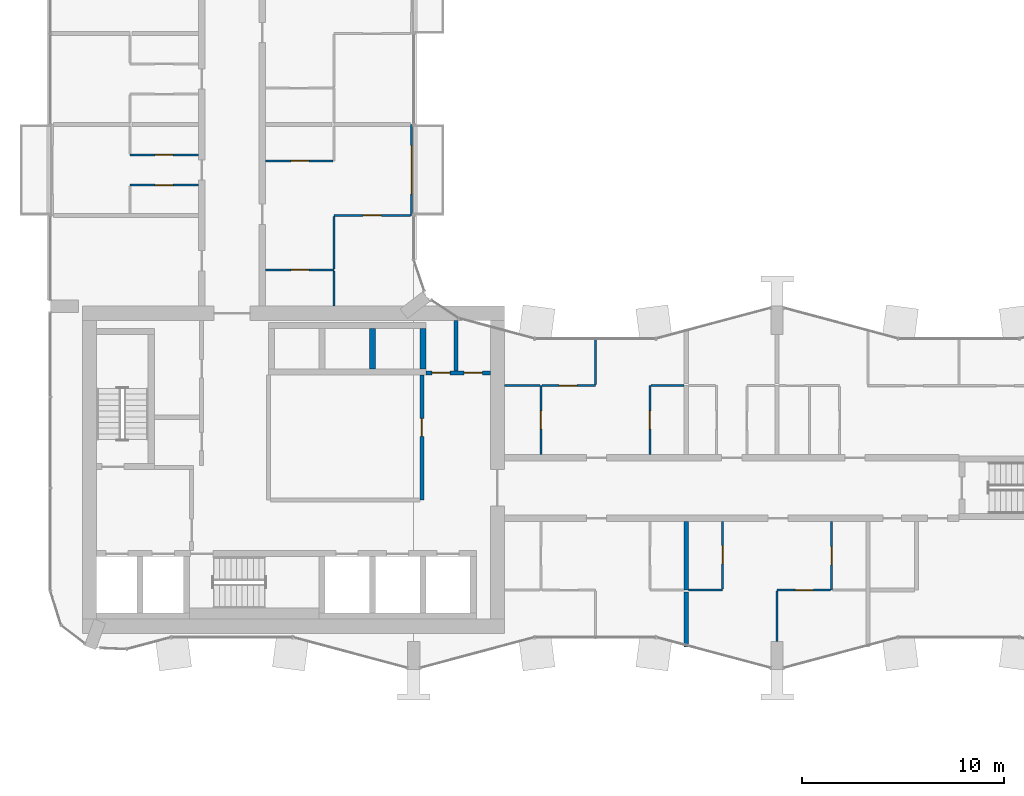
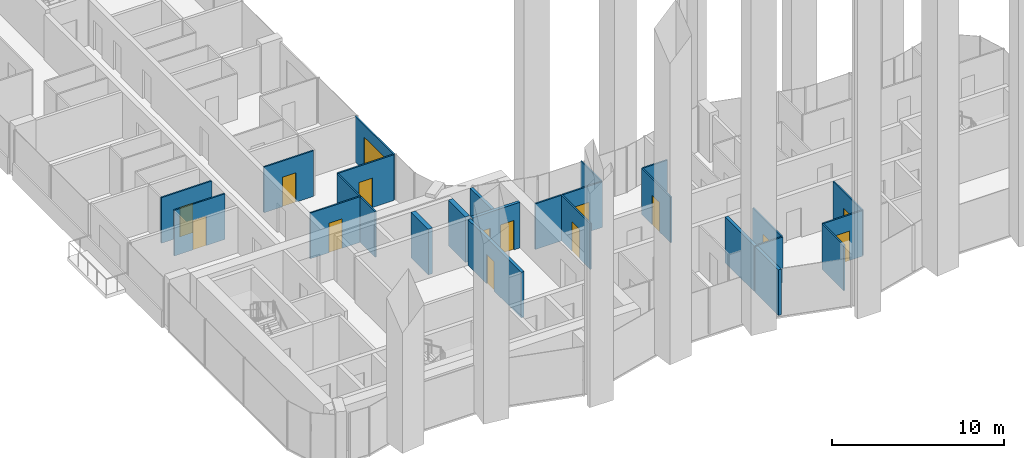
# One storey, part 14 of 27: 26 walls, 15 doors, 15 openings.
"""IFC4 building model written with IfcOpenShell, lengths in metres."""

import ifcopenshell
import ifcopenshell.guid

model = None  # the IFC model being written
_history = None  # IfcOwnerHistory: only IFC2X3 demands one
_inside = {}  # id of a spatial element -> (the spatial element, [elements in it])
_under = {}  # id of a project, library or spatial element -> (it, [spatial elements below it])
_declared = {}  # id of a project -> (the project, [libraries it declares])
_typed = {}  # id of a type object -> (the type object, [elements of that type])
_made_of = {}  # id of a material, layer set ... -> (it, [elements and type objects made of it])


def new_model(schema):
    """Start an empty IFC model of exactly this schema.

    Asked for "IFC4X3", IfcOpenShell would pick the latest addendum, in which some entities
    have other attributes; the version numbers below select the first issue.
    IFC2X3 requires an IfcOwnerHistory on every rooted entity: one is made here for all.
    """
    global model, _history
    if schema == "IFC4X3":
        model = ifcopenshell.file(schema_version=(4, 3, 0, 0))
    else:
        model = ifcopenshell.file(schema=schema)
    _inside.clear()
    _under.clear()
    _declared.clear()
    _typed.clear()
    _made_of.clear()
    _history = None
    if model.schema == "IFC2X3":
        org = make("IfcOrganization", Name="unknown")
        user = make(
            "IfcPersonAndOrganization",
            ThePerson=make("IfcPerson", FamilyName="unknown"),
            TheOrganization=org,
        )
        app = make(
            "IfcApplication",
            ApplicationDeveloper=org,
            Version="unknown",
            ApplicationFullName="unknown",
            ApplicationIdentifier="unknown",
        )
        _history = make(
            "IfcOwnerHistory",
            OwningUser=user,
            OwningApplication=app,
            ChangeAction="ADDED",
            CreationDate=0,
        )
    return model


def make(cls, **values):
    """One entity of the class cls with the attributes given. An attribute that is None is left unset."""
    return model.create_entity(
        cls, **{name: value for name, value in values.items() if value is not None}
    )


def rooted(cls, **values):
    """An entity with a GlobalId (a new one), such as an element, a storey or a relation."""
    return make(cls, GlobalId=ifcopenshell.guid.new(), OwnerHistory=_history, **values)


def si_unit(unit_type, name, prefix=None):
    """IfcSIUnit, for example si_unit("LENGTHUNIT", "METRE", prefix="MILLI")."""
    return make("IfcSIUnit", UnitType=unit_type, Prefix=prefix, Name=name)


def assignment(units):
    """IfcUnitAssignment: the units of a project."""
    return None if units is None else make("IfcUnitAssignment", Units=units)


def point(xyz):
    """IfcCartesianPoint."""
    return None if xyz is None else make("IfcCartesianPoint", Coordinates=xyz)


def direction(xyz):
    """IfcDirection."""
    return None if xyz is None else make("IfcDirection", DirectionRatios=xyz)


def frame(location, z_axis=None, x_axis=None):
    """IfcAxis2Placement3D, a coordinate frame: its origin and axes. An axis left out is left unset."""
    return make(
        "IfcAxis2Placement3D",
        Location=point(location),
        Axis=direction(z_axis),
        RefDirection=direction(x_axis),
    )


def frame_2d(location, x_axis=None):
    """IfcAxis2Placement2D, a coordinate frame in the plane: its origin and x axis."""
    return make(
        "IfcAxis2Placement2D", Location=point(location), RefDirection=direction(x_axis)
    )


def origin():
    """The frame at (0, 0, 0) with its axes left unset."""
    return frame((0.0, 0.0, 0.0))


def place(relative_to, where):
    """IfcLocalPlacement: puts the frame where relative to a parent placement (None: the world)."""
    return make(
        "IfcLocalPlacement", PlacementRelTo=relative_to, RelativePlacement=where
    )


def context(
    kind, dimensions, precision=None, world=None, true_north=None, identifier=None
):
    """IfcGeometricRepresentationContext, for example the 3D "Model" context."""
    return make(
        "IfcGeometricRepresentationContext",
        ContextIdentifier=identifier,
        ContextType=kind,
        CoordinateSpaceDimension=dimensions,
        Precision=precision,
        WorldCoordinateSystem=world,
        TrueNorth=true_north,
    )


def subcontext(parent, identifier, kind, view, scale=None):
    """IfcGeometricRepresentationSubContext, for example "Body" below "Model"."""
    return make(
        "IfcGeometricRepresentationSubContext",
        ContextIdentifier=identifier,
        ContextType=kind,
        ParentContext=parent,
        TargetScale=scale,
        TargetView=view,
    )


def project(units=None, contexts=None):
    """IfcProject with its units and contexts."""
    return rooted(
        "IfcProject",
        Name="project",
        RepresentationContexts=contexts,
        UnitsInContext=assignment(units),
    )


def spatial(cls, under=None, at=None, **own):
    """A site, building, storey or space (cls), placed at a placement, below another one or the project."""
    s = rooted(cls, ObjectPlacement=at, **own)
    if under is not None:
        _under.setdefault(under.id(), (under, []))[1].append(s)
    return s


def profile(cls, at=None, kind="AREA", **sizes):
    """A parametric profile (cls). Its sizes go by their IFC names, for example OverallWidth=200.0."""
    return make(cls, ProfileType=kind, Position=at, **sizes)


def rectangle(**sizes):
    """IfcRectangleProfileDef."""
    return profile("IfcRectangleProfileDef", **sizes)


def extrude(swept, where, along, depth):
    """IfcExtrudedAreaSolid: the profile swept, set in the frame where, extruded along a direction by depth."""
    return make(
        "IfcExtrudedAreaSolid",
        SweptArea=swept,
        Position=where,
        ExtrudedDirection=direction(along),
        Depth=depth,
    )


def shape(context_of_items, identifier, shape_type, items):
    """IfcShapeRepresentation: the items that make up one representation, for example the "Body"."""
    return make(
        "IfcShapeRepresentation",
        ContextOfItems=context_of_items,
        RepresentationIdentifier=identifier,
        RepresentationType=shape_type,
        Items=items,
    )


def material(Name=None, Category=None):
    """IfcMaterial."""
    return make("IfcMaterial", Name=Name, Category=Category)


def layer(
    of_material, thickness, ventilated=None, Name=None, Category=None, Priority=None
):
    """IfcMaterialLayer: one layer of a wall or slab, of a material (None: an air gap)."""
    return make(
        "IfcMaterialLayer",
        Material=of_material,
        LayerThickness=thickness,
        IsVentilated=ventilated,
        Name=Name,
        Category=Category,
        Priority=Priority,
    )


def layer_set(layers, Name=None):
    """IfcMaterialLayerSet."""
    return make("IfcMaterialLayerSet", MaterialLayers=layers, LayerSetName=Name)


def made_of(thing, what):
    """Note that an element or type object is made of a material, layer set ...; save() writes the relation."""
    if what is not None:
        _made_of.setdefault(what.id(), (what, []))[1].append(thing)
    return thing


def type_object(cls, material=None, **own):
    """A type object (cls), such as IfcWallType, which elements share."""
    return made_of(rooted(cls, **own), material)


def element(
    cls,
    number,
    at=None,
    inside=None,
    cuts=None,
    type_object=None,
    material=None,
    context=None,
    identifier="Body",
    shape_type=None,
    held_by="IfcProductDefinitionShape",
    body=None,
    shapes=None,
    **own,
):
    """One element of the class cls, such as IfcWall. Its Tag is "e" and its number.

    at: its placement. inside: the storey or other place that contains it. cuts: it is an
    opening in that element (IfcRelVoidsElement). A single representation is given by context,
    identifier, shape_type and body (its items); several are given by shapes. held_by: the class
    of the entity that holds the representations. save() writes the other relations.
    """
    e = rooted(cls, Tag="e%d" % number, ObjectPlacement=at, **own)
    if body is not None:
        shapes = [shape(context, identifier, shape_type, body)]
    if shapes is not None:
        e.Representation = make(held_by, Representations=shapes)
    if inside is not None:
        _inside.setdefault(inside.id(), (inside, []))[1].append(e)
    if cuts is not None:
        rooted(
            "IfcRelVoidsElement", RelatingBuildingElement=cuts, RelatedOpeningElement=e
        )
    if type_object is not None:
        _typed.setdefault(type_object.id(), (type_object, []))[1].append(e)
    return made_of(e, material)


def fill(opening, filler):
    """IfcRelFillsElement: the door or window that sits in an opening."""
    return rooted(
        "IfcRelFillsElement",
        RelatingOpeningElement=opening,
        RelatedBuildingElement=filler,
    )


def aggregate(whole, parts):
    """IfcRelAggregates: a whole, such as a stair, and the parts it consists of."""
    return rooted("IfcRelAggregates", RelatingObject=whole, RelatedObjects=parts)


def save(model, path):
    """Write the relations noted so far, then the file.

    IfcRelAggregates (storeys below a building ...), IfcRelContainedInSpatialStructure (elements
    in a storey), IfcRelDefinesByType, IfcRelAssociatesMaterial and IfcRelDeclares: one each for
    every whole, place, type object, material and project.
    """
    for whole, parts in _under.values():
        aggregate(whole, parts)
    for where, things in _inside.values():
        rooted(
            "IfcRelContainedInSpatialStructure",
            RelatedElements=things,
            RelatingStructure=where,
        )
    for kind, things in _typed.values():
        rooted("IfcRelDefinesByType", RelatedObjects=things, RelatingType=kind)
    for what, things in _made_of.values():
        rooted("IfcRelAssociatesMaterial", RelatedObjects=things, RelatingMaterial=what)
    for by, libraries in _declared.values():
        rooted("IfcRelDeclares", RelatingContext=by, RelatedDefinitions=libraries)
    model.write(path)


model = new_model("IFC4")

# Units and contexts
model_context = context("Model", 3, precision=1e-05, world=origin(), true_north=direction((0.0, 1.0)))
body_context = subcontext(model_context, "Body", "Model", "MODEL_VIEW")
ifc_project = project(units=[si_unit("LENGTHUNIT", "METRE"), si_unit("AREAUNIT", "SQUARE_METRE"), si_unit("VOLUMEUNIT", "CUBIC_METRE"), si_unit("PLANEANGLEUNIT", "RADIAN"), si_unit("MASSUNIT", "GRAM", prefix="KILO")], contexts=[model_context])

# Site, building, storey
site_placement = place(None, origin())
site = spatial("IfcSite", under=ifc_project, at=site_placement, CompositionType="ELEMENT")
building_placement = place(site_placement, origin())
building = spatial("IfcBuilding", under=site, at=building_placement, Name="Plateau Cross Towers", CompositionType="ELEMENT")
storey_placement = place(building_placement, frame((0.0, 0.0, 78.300048828125)))
storey = spatial("IfcBuildingStorey", under=building, at=storey_placement, Name="L19", CompositionType="ELEMENT", Elevation=78.300048828125)

# Wall, opening, door
ifc_material_1 = material(Name="Aluminium framed glazing", Category="aluminium")
ifc_layer_1 = layer(ifc_material_1, 0.10009765625)
ifc_layer_set_1 = layer_set([ifc_layer_1], Name="Aluminium framed glazing")
wall_type_1 = type_object("IfcWallType", Name="Balcony screen wall 100", PredefinedType="STANDARD", material=ifc_layer_set_1)
wall_1_placement = place(storey_placement, frame((17.89990234375, 27.0, 0.0), z_axis=(0.0, 0.0, 1.0), x_axis=(0.0, -1.0, 0.0)))
wall_1 = element("IfcWall", 1, at=wall_1_placement, inside=storey, type_object=wall_type_1, Name="Balcony screen wall A-BAL-L19-03", PredefinedType="STANDARD", context=body_context, shape_type="SweptSolid", body=[
    extrude(rectangle(XDim=4.5, YDim=0.10009765625, at=frame_2d((2.25, 0.0))), origin(), (0.0, 0.0, 1.0), 3.25),
])
opening_1_placement = place(wall_1_placement, frame((1.050048828125, 0.0, 0.0)))
opening_1 = element("IfcOpeningElement", 2, at=opening_1_placement, cuts=wall_1, Name="Opening D-B24", PredefinedType="OPENING", context=body_context, shape_type="SweptSolid", body=[
    extrude(rectangle(XDim=2.39990234375, YDim=2.39990234375, at=frame_2d((1.199951171875, 1.199951171875))), frame((0.0, 0.06005859375, 0.0), z_axis=(0.0, -1.0, 0.0), x_axis=(1.0, 0.0, 0.0)), (0.0, 0.0, 1.0), 0.1201171875),
])
ifc_material_2 = material(Name="Aluminium frame, double glazing", Category="aluminium")
door_type_1 = type_object("IfcDoorType", Name="Balcony sliding door 2400", OperationType="NOTDEFINED", PredefinedType="DOOR", material=ifc_material_2)
door_1_placement = place(opening_1_placement, origin())
door_1 = element("IfcDoor", 3, at=door_1_placement, inside=storey, type_object=door_type_1, Name="Balcony door A-BAL-L19-03", OperationType="SINGLE_SWING_LEFT", OverallHeight=2.39990234375, OverallWidth=2.39990234375, PredefinedType="DOOR", context=body_context, shape_type="SweptSolid", body=[
    extrude(rectangle(XDim=2.39990234375, YDim=2.39990234375, at=frame_2d((1.199951171875, 1.199951171875))), frame((0.0, 0.02490234375, 0.0), z_axis=(0.0, -1.0, 0.0), x_axis=(1.0, 0.0, 0.0)), (0.0, 0.0, 1.0), 0.050048828125),
])
fill(opening_1, door_1)

ifc_material_3 = material(Name="Concrete block, plastered both sides", Category="concrete")
ifc_layer_2 = layer(ifc_material_3, 0.199951171875)
ifc_layer_set_2 = layer_set([ifc_layer_2], Name="Concrete block, plastered both sides")
wall_type_2 = type_object("IfcWallType", Name="Core partition 200", PredefinedType="PARTITIONING", material=ifc_layer_set_2)
wall_2_placement = place(storey_placement, frame((18.39990234375, 8.39990234375, 0.0), z_axis=(0.0, 0.0, 1.0), x_axis=(0.0, 1.0, 0.0)))
wall_2 = element("IfcWall", 4, at=wall_2_placement, inside=storey, type_object=wall_type_2, Name="Core partition", PredefinedType="PARTITIONING", context=body_context, shape_type="SweptSolid", body=[
    extrude(rectangle(XDim=6.2001953125, YDim=0.199951171875, at=frame_2d((3.10009765625, 0.0))), origin(), (0.0, 0.0, 1.0), 3.25),
])
opening_2_placement = place(wall_2_placement, frame((3.14990234375, 0.0, 0.0)))
opening_2 = element("IfcOpeningElement", 5, at=opening_2_placement, cuts=wall_2, Name="Opening RD1", PredefinedType="OPENING", context=body_context, shape_type="SweptSolid", body=[
    extrude(rectangle(XDim=0.89990234375, YDim=2.10009765625, at=frame_2d((0.449951171875, 1.050048828125))), frame((0.0, 0.10986328125, 0.0), z_axis=(0.0, -1.0, 0.0), x_axis=(1.0, 0.0, 0.0)), (0.0, 0.0, 1.0), 0.219970703125),
])
ifc_material_4 = material(Name="Timber, fire-resisting leaf", Category="wood")
door_type_2 = type_object("IfcDoorType", Name="Core service door 900", OperationType="NOTDEFINED", PredefinedType="DOOR", material=ifc_material_4)
door_2_placement = place(opening_2_placement, origin())
door_2 = element("IfcDoor", 6, at=door_2_placement, inside=storey, type_object=door_type_2, Name="Core service door RD1", OperationType="SINGLE_SWING_LEFT", OverallHeight=2.10009765625, OverallWidth=0.89990234375, PredefinedType="DOOR", context=body_context, shape_type="SweptSolid", body=[
    extrude(rectangle(XDim=0.89990234375, YDim=2.10009765625, at=frame_2d((0.449951171875, 1.050048828125))), frame((0.0, 0.02490234375, 0.0), z_axis=(0.0, -1.0, 0.0), x_axis=(1.0, 0.0, 0.0)), (0.0, 0.0, 1.0), 0.050048828125),
])
fill(opening_2, door_2)

# Wall, openings, doors
wall_3_placement = place(storey_placement, frame((18.60009765625, 14.699951171875, 0.0), z_axis=(0.0, 0.0, 1.0), x_axis=(1.0, 0.0, 0.0)))
wall_3 = element("IfcWall", 7, at=wall_3_placement, inside=storey, type_object=wall_type_2, Name="Core partition", PredefinedType="PARTITIONING", context=body_context, shape_type="SweptSolid", body=[
    extrude(rectangle(XDim=3.199951171875, YDim=0.199951171875, at=frame_2d((1.60009765625, 0.0))), origin(), (0.0, 0.0, 1.0), 3.25),
])
opening_3_placement = place(wall_3_placement, frame((0.300048828125, 0.0, 0.0)))
opening_3 = element("IfcOpeningElement", 8, at=opening_3_placement, cuts=wall_3, Name="Opening RD2", PredefinedType="OPENING", context=body_context, shape_type="SweptSolid", body=[
    extrude(rectangle(XDim=0.89990234375, YDim=2.10009765625, at=frame_2d((0.449951171875, 1.050048828125))), frame((0.0, 0.10986328125, 0.0), z_axis=(0.0, -1.0, 0.0), x_axis=(1.0, 0.0, 0.0)), (0.0, 0.0, 1.0), 0.219970703125),
])
opening_4_placement = place(wall_3_placement, frame((1.89990234375, 0.0, 0.0)))
opening_4 = element("IfcOpeningElement", 9, at=opening_4_placement, cuts=wall_3, Name="Opening RD2", PredefinedType="OPENING", context=body_context, shape_type="SweptSolid", body=[
    extrude(rectangle(XDim=0.89990234375, YDim=2.10009765625, at=frame_2d((0.449951171875, 1.050048828125))), frame((0.0, 0.10986328125, 0.0), z_axis=(0.0, -1.0, 0.0), x_axis=(1.0, 0.0, 0.0)), (0.0, 0.0, 1.0), 0.219970703125),
])
ifc_material_5 = material(Name="Steel, fire-resisting leaf", Category="steel")
door_type_3 = type_object("IfcDoorType", Name="Core riser door 900", OperationType="NOTDEFINED", PredefinedType="DOOR", material=ifc_material_5)
door_3_placement = place(opening_3_placement, origin())
door_3 = element("IfcDoor", 10, at=door_3_placement, inside=storey, type_object=door_type_3, Name="Core riser door RD2", OperationType="SINGLE_SWING_LEFT", OverallHeight=2.10009765625, OverallWidth=0.89990234375, PredefinedType="DOOR", context=body_context, shape_type="SweptSolid", body=[
    extrude(rectangle(XDim=0.89990234375, YDim=2.10009765625, at=frame_2d((0.449951171875, 1.050048828125))), frame((0.0, 0.02490234375, 0.0), z_axis=(0.0, -1.0, 0.0), x_axis=(1.0, 0.0, 0.0)), (0.0, 0.0, 1.0), 0.050048828125),
])
fill(opening_3, door_3)
door_4_placement = place(opening_4_placement, origin())
door_4 = element("IfcDoor", 11, at=door_4_placement, inside=storey, type_object=door_type_3, Name="Core riser door RD2", OperationType="SINGLE_SWING_LEFT", OverallHeight=2.10009765625, OverallWidth=0.89990234375, PredefinedType="DOOR", context=body_context, shape_type="SweptSolid", body=[
    extrude(rectangle(XDim=0.89990234375, YDim=2.10009765625, at=frame_2d((0.449951171875, 1.050048828125))), frame((0.0, 0.02490234375, 0.0), z_axis=(0.0, -1.0, 0.0), x_axis=(1.0, 0.0, 0.0)), (0.0, 0.0, 1.0), 0.050048828125),
])
fill(opening_4, door_4)

# Walls
wall_4_placement = place(storey_placement, frame((20.10009765625, 14.800048828125, 0.0), z_axis=(0.0, 0.0, 1.0), x_axis=(0.0, 1.0, 0.0)))
element("IfcWall", 12, at=wall_4_placement, inside=storey, type_object=wall_type_2, Name="Core partition", PredefinedType="PARTITIONING", context=body_context, shape_type="SweptSolid", body=[
    extrude(rectangle(XDim=2.5, YDim=0.199951171875, at=frame_2d((1.25, 0.0))), origin(), (0.0, 0.0, 1.0), 3.25),
])
ifc_material_6 = material(Name="Concrete C60/75", Category="concrete")
ifc_layer_3 = layer(ifc_material_6, 0.300048828125)
ifc_layer_set_3 = layer_set([ifc_layer_3], Name="Concrete C60/75")
wall_type_3 = type_object("IfcWallType", Name="Core shaft wall 300", PredefinedType="SHEAR", material=ifc_layer_set_3)
for number, where, z_axis, x_axis, name in (
    (13, (15.949951171875, 14.89990234375, 0.0), (0.0, 0.0, 1.0), (0.0, 1.0, 0.0), "A-nb-v3@L19"),
    (14, (18.449951171875, 14.89990234375, 0.0), (0.0, 0.0, 1.0), (0.0, 1.0, 0.0), "A-nb-v4@L19"),
):
    element("IfcWall", number, at=place(storey_placement, frame(where, z_axis=z_axis, x_axis=x_axis)), inside=storey, type_object=wall_type_3, Name=name, PredefinedType="SHEAR", context=body_context, shape_type="SweptSolid", body=[
        extrude(rectangle(XDim=2.0, YDim=0.300048828125, at=frame_2d((1.0, 0.0))), origin(), (0.0, 0.0, 1.0), 3.25),
    ])

# Wall, opening, door
ifc_material_7 = material(Name="Gypsum board on steel studs", Category="steel")
ifc_layer_4 = layer(ifc_material_7, 0.10009765625)
ifc_layer_set_4 = layer_set([ifc_layer_4], Name="Gypsum board on steel studs")
wall_type_4 = type_object("IfcWallType", Name="Flat partition 100", PredefinedType="PARTITIONING", material=ifc_layer_set_4)
wall_5_placement = place(storey_placement, frame((38.64990234375, 3.9375, 0.0), z_axis=(0.0, 0.0, 1.0), x_axis=(-1.0, 0.0, 0.0)))
wall_5 = element("IfcWall", 15, at=wall_5_placement, inside=storey, type_object=wall_type_4, Name="Partition wall", PredefinedType="PARTITIONING", context=body_context, shape_type="SweptSolid", body=[
    extrude(rectangle(XDim=2.64990234375, YDim=0.10009765625, at=frame_2d((1.324951171875, 0.0))), origin(), (0.0, 0.0, 1.0), 3.25),
])
opening_5_placement = place(wall_5_placement, frame((0.85009765625, 0.0, 0.0)))
opening_5 = element("IfcOpeningElement", 16, at=opening_5_placement, cuts=wall_5, Name="Opening 19-23", PredefinedType="OPENING", context=body_context, shape_type="SweptSolid", body=[
    extrude(rectangle(XDim=0.89990234375, YDim=2.10009765625, at=frame_2d((0.449951171875, 1.050048828125))), frame((0.0, 0.06005859375, 0.0), z_axis=(0.0, -1.0, 0.0), x_axis=(1.0, 0.0, 0.0)), (0.0, 0.0, 1.0), 0.1201171875),
])
ifc_material_8 = material(Name="Timber leaf", Category="wood")
door_type_4 = type_object("IfcDoorType", Name="Flat room door 900", OperationType="NOTDEFINED", PredefinedType="DOOR", material=ifc_material_8)
door_5_placement = place(opening_5_placement, origin())
door_5 = element("IfcDoor", 17, at=door_5_placement, inside=storey, type_object=door_type_4, Name="Door 19-23", OperationType="SINGLE_SWING_LEFT", OverallHeight=2.10009765625, OverallWidth=0.89990234375, PredefinedType="DOOR", context=body_context, shape_type="SweptSolid", body=[
    extrude(rectangle(XDim=0.89990234375, YDim=2.10009765625, at=frame_2d((0.449951171875, 1.050048828125))), frame((0.0, 0.02490234375, 0.0), z_axis=(0.0, -1.0, 0.0), x_axis=(1.0, 0.0, 0.0)), (0.0, 0.0, 1.0), 0.050048828125),
])
fill(opening_5, door_5)

# Walls
wall_6_placement = place(storey_placement, frame((31.60009765625, 3.9375, 0.0), z_axis=(0.0, 0.0, 1.0), x_axis=(1.0, 0.0, 0.0)))
element("IfcWall", 18, at=wall_6_placement, inside=storey, type_object=wall_type_4, Name="Partition wall", PredefinedType="PARTITIONING", context=body_context, shape_type="SweptSolid", body=[
    extrude(rectangle(XDim=1.699951171875, YDim=0.10009765625, at=frame_2d((0.85009765625, 0.0))), origin(), (0.0, 0.0, 1.0), 3.25),
])
wall_7_placement = place(storey_placement, frame((24.25, 14.0625, 0.0), z_axis=(0.0, 0.0, 1.0), x_axis=(-1.0, 0.0, 0.0)))
element("IfcWall", 19, at=wall_7_placement, inside=storey, type_object=wall_type_4, Name="Partition wall", PredefinedType="PARTITIONING", context=body_context, shape_type="SweptSolid", body=[
    extrude(rectangle(XDim=1.75, YDim=0.10009765625, at=frame_2d((0.875, 0.0))), origin(), (0.0, 0.0, 1.0), 3.25),
])
wall_8_placement = place(storey_placement, frame((31.39990234375, 14.0625, 0.0), z_axis=(0.0, 0.0, 1.0), x_axis=(-1.0, 0.0, 0.0)))
element("IfcWall", 20, at=wall_8_placement, inside=storey, type_object=wall_type_4, Name="Partition wall", PredefinedType="PARTITIONING", context=body_context, shape_type="SweptSolid", body=[
    extrude(rectangle(XDim=1.64990234375, YDim=0.10009765625, at=frame_2d((0.824951171875, 0.0))), origin(), (0.0, 0.0, 1.0), 3.25),
])

# Wall, opening, door
wall_9_placement = place(storey_placement, frame((24.35009765625, 14.0625, 0.0), z_axis=(0.0, 0.0, 1.0), x_axis=(1.0, 0.0, 0.0)))
wall_9 = element("IfcWall", 21, at=wall_9_placement, inside=storey, type_object=wall_type_4, Name="Partition wall", PredefinedType="PARTITIONING", context=body_context, shape_type="SweptSolid", body=[
    extrude(rectangle(XDim=2.64990234375, YDim=0.10009765625, at=frame_2d((1.324951171875, 0.0))), origin(), (0.0, 0.0, 1.0), 3.25),
])
opening_6_placement = place(wall_9_placement, frame((0.85009765625, 0.0, 0.0)))
opening_6 = element("IfcOpeningElement", 22, at=opening_6_placement, cuts=wall_9, Name="Opening 19-26", PredefinedType="OPENING", context=body_context, shape_type="SweptSolid", body=[
    extrude(rectangle(XDim=0.89990234375, YDim=2.10009765625, at=frame_2d((0.449951171875, 1.050048828125))), frame((0.0, 0.06005859375, 0.0), z_axis=(0.0, -1.0, 0.0), x_axis=(1.0, 0.0, 0.0)), (0.0, 0.0, 1.0), 0.1201171875),
])
door_6_placement = place(opening_6_placement, origin())
door_6 = element("IfcDoor", 23, at=door_6_placement, inside=storey, type_object=door_type_4, Name="Door 19-26", OperationType="SINGLE_SWING_LEFT", OverallHeight=2.10009765625, OverallWidth=0.89990234375, PredefinedType="DOOR", context=body_context, shape_type="SweptSolid", body=[
    extrude(rectangle(XDim=0.89990234375, YDim=2.10009765625, at=frame_2d((0.449951171875, 1.050048828125))), frame((0.0, 0.02490234375, 0.0), z_axis=(0.0, -1.0, 0.0), x_axis=(1.0, 0.0, 0.0)), (0.0, 0.0, 1.0), 0.050048828125),
])
fill(opening_6, door_6)

wall_10_placement = place(storey_placement, frame((14.0625, 19.800048828125, 0.0), z_axis=(0.0, 0.0, 1.0), x_axis=(-1.0, 0.0, 0.0)))
wall_10 = element("IfcWall", 24, at=wall_10_placement, inside=storey, type_object=wall_type_4, Name="Partition wall", PredefinedType="PARTITIONING", context=body_context, shape_type="SweptSolid", body=[
    extrude(rectangle(XDim=3.39990234375, YDim=0.10009765625, at=frame_2d((1.699951171875, 0.0))), origin(), (0.0, 0.0, 1.0), 3.25),
])
opening_7_placement = place(wall_10_placement, frame((1.25, 0.0, 0.0)))
opening_7 = element("IfcOpeningElement", 25, at=opening_7_placement, cuts=wall_10, Name="Opening 19-43", PredefinedType="OPENING", context=body_context, shape_type="SweptSolid", body=[
    extrude(rectangle(XDim=0.89990234375, YDim=2.10009765625, at=frame_2d((0.449951171875, 1.050048828125))), frame((0.0, 0.06005859375, 0.0), z_axis=(0.0, -1.0, 0.0), x_axis=(1.0, 0.0, 0.0)), (0.0, 0.0, 1.0), 0.1201171875),
])
door_7_placement = place(opening_7_placement, origin())
door_7 = element("IfcDoor", 26, at=door_7_placement, inside=storey, type_object=door_type_4, Name="Door 19-43", OperationType="SINGLE_SWING_LEFT", OverallHeight=2.10009765625, OverallWidth=0.89990234375, PredefinedType="DOOR", context=body_context, shape_type="SweptSolid", body=[
    extrude(rectangle(XDim=0.89990234375, YDim=2.10009765625, at=frame_2d((0.449951171875, 1.050048828125))), frame((0.0, 0.02490234375, 0.0), z_axis=(0.0, -1.0, 0.0), x_axis=(1.0, 0.0, 0.0)), (0.0, 0.0, 1.0), 0.050048828125),
])
fill(opening_7, door_7)

wall_11_placement = place(storey_placement, frame((17.85009765625, 22.5, 0.0), z_axis=(0.0, 0.0, 1.0), x_axis=(-1.0, 0.0, 0.0)))
wall_11 = element("IfcWall", 27, at=wall_11_placement, inside=storey, type_object=wall_type_4, Name="Partition wall", PredefinedType="PARTITIONING", context=body_context, shape_type="SweptSolid", body=[
    extrude(rectangle(XDim=3.78759765625, YDim=0.10009765625, at=frame_2d((1.893798828125, 0.0))), origin(), (0.0, 0.0, 1.0), 3.25),
])
opening_8_placement = place(wall_11_placement, frame((1.449951171875, 0.0, 0.0)))
opening_8 = element("IfcOpeningElement", 28, at=opening_8_placement, cuts=wall_11, Name="Opening 19-45", PredefinedType="OPENING", context=body_context, shape_type="SweptSolid", body=[
    extrude(rectangle(XDim=0.89990234375, YDim=2.10009765625, at=frame_2d((0.449951171875, 1.050048828125))), frame((0.0, 0.06005859375, 0.0), z_axis=(0.0, -1.0, 0.0), x_axis=(1.0, 0.0, 0.0)), (0.0, 0.0, 1.0), 0.1201171875),
])
door_8_placement = place(opening_8_placement, origin())
door_8 = element("IfcDoor", 29, at=door_8_placement, inside=storey, type_object=door_type_4, Name="Door 19-45", OperationType="SINGLE_SWING_RIGHT", OverallHeight=2.10009765625, OverallWidth=0.89990234375, PredefinedType="DOOR", context=body_context, shape_type="SweptSolid", body=[
    extrude(rectangle(XDim=0.89990234375, YDim=2.10009765625, at=frame_2d((0.449951171875, 1.050048828125))), frame((0.0, 0.02490234375, 0.0), z_axis=(0.0, -1.0, 0.0), x_axis=(1.0, 0.0, 0.0)), (0.0, 0.0, 1.0), 0.050048828125),
])
fill(opening_8, door_8)

wall_12_placement = place(storey_placement, frame((7.33740234375, 24.0, 0.0), z_axis=(0.0, 0.0, 1.0), x_axis=(-1.0, 0.0, 0.0)))
wall_12 = element("IfcWall", 30, at=wall_12_placement, inside=storey, type_object=wall_type_4, Name="Partition wall", PredefinedType="PARTITIONING", context=body_context, shape_type="SweptSolid", body=[
    extrude(rectangle(XDim=3.39990234375, YDim=0.10009765625, at=frame_2d((1.699951171875, 0.0))), origin(), (0.0, 0.0, 1.0), 3.25),
])
opening_9_placement = place(wall_12_placement, frame((1.25, 0.0, 0.0)))
opening_9 = element("IfcOpeningElement", 31, at=opening_9_placement, cuts=wall_12, Name="Opening 19-34", PredefinedType="OPENING", context=body_context, shape_type="SweptSolid", body=[
    extrude(rectangle(XDim=0.89990234375, YDim=2.10009765625, at=frame_2d((0.449951171875, 1.050048828125))), frame((0.0, 0.06005859375, 0.0), z_axis=(0.0, -1.0, 0.0), x_axis=(1.0, 0.0, 0.0)), (0.0, 0.0, 1.0), 0.1201171875),
])
door_9_placement = place(opening_9_placement, origin())
door_9 = element("IfcDoor", 32, at=door_9_placement, inside=storey, type_object=door_type_4, Name="Door 19-34", OperationType="SINGLE_SWING_LEFT", OverallHeight=2.10009765625, OverallWidth=0.89990234375, PredefinedType="DOOR", context=body_context, shape_type="SweptSolid", body=[
    extrude(rectangle(XDim=0.89990234375, YDim=2.10009765625, at=frame_2d((0.449951171875, 1.050048828125))), frame((0.0, 0.02490234375, 0.0), z_axis=(0.0, -1.0, 0.0), x_axis=(1.0, 0.0, 0.0)), (0.0, 0.0, 1.0), 0.050048828125),
])
fill(opening_9, door_9)

wall_13_placement = place(storey_placement, frame((10.66259765625, 25.199951171875, 0.0), z_axis=(0.0, 0.0, 1.0), x_axis=(1.0, 0.0, 0.0)))
wall_13 = element("IfcWall", 33, at=wall_13_placement, inside=storey, type_object=wall_type_4, Name="Partition wall", PredefinedType="PARTITIONING", context=body_context, shape_type="SweptSolid", body=[
    extrude(rectangle(XDim=3.349853515625, YDim=0.10009765625, at=frame_2d((1.6748046875, 0.0))), origin(), (0.0, 0.0, 1.0), 3.25),
])
opening_10_placement = place(wall_13_placement, frame((1.25, 0.0, 0.0)))
opening_10 = element("IfcOpeningElement", 34, at=opening_10_placement, cuts=wall_13, Name="Opening 19-44", PredefinedType="OPENING", context=body_context, shape_type="SweptSolid", body=[
    extrude(rectangle(XDim=0.89990234375, YDim=2.10009765625, at=frame_2d((0.449951171875, 1.050048828125))), frame((0.0, 0.06005859375, 0.0), z_axis=(0.0, -1.0, 0.0), x_axis=(1.0, 0.0, 0.0)), (0.0, 0.0, 1.0), 0.1201171875),
])
door_10_placement = place(opening_10_placement, origin())
door_10 = element("IfcDoor", 35, at=door_10_placement, inside=storey, type_object=door_type_4, Name="Door 19-44", OperationType="SINGLE_SWING_RIGHT", OverallHeight=2.10009765625, OverallWidth=0.89990234375, PredefinedType="DOOR", context=body_context, shape_type="SweptSolid", body=[
    extrude(rectangle(XDim=0.89990234375, YDim=2.10009765625, at=frame_2d((0.449951171875, 1.050048828125))), frame((0.0, 0.02490234375, 0.0), z_axis=(0.0, -1.0, 0.0), x_axis=(1.0, 0.0, 0.0)), (0.0, 0.0, 1.0), 0.050048828125),
])
fill(opening_10, door_10)

wall_14_placement = place(storey_placement, frame((3.9375, 25.5, 0.0), z_axis=(0.0, 0.0, 1.0), x_axis=(1.0, 0.0, 0.0)))
wall_14 = element("IfcWall", 36, at=wall_14_placement, inside=storey, type_object=wall_type_4, Name="Partition wall", PredefinedType="PARTITIONING", context=body_context, shape_type="SweptSolid", body=[
    extrude(rectangle(XDim=3.39990234375, YDim=0.10009765625, at=frame_2d((1.699951171875, 0.0))), origin(), (0.0, 0.0, 1.0), 3.25),
])
opening_11_placement = place(wall_14_placement, frame((1.25, 0.0, 0.0)))
opening_11 = element("IfcOpeningElement", 37, at=opening_11_placement, cuts=wall_14, Name="Opening 19-35", PredefinedType="OPENING", context=body_context, shape_type="SweptSolid", body=[
    extrude(rectangle(XDim=0.89990234375, YDim=2.10009765625, at=frame_2d((0.449951171875, 1.050048828125))), frame((0.0, 0.06005859375, 0.0), z_axis=(0.0, -1.0, 0.0), x_axis=(1.0, 0.0, 0.0)), (0.0, 0.0, 1.0), 0.1201171875),
])
door_11_placement = place(opening_11_placement, origin())
door_11 = element("IfcDoor", 38, at=door_11_placement, inside=storey, type_object=door_type_4, Name="Door 19-35", OperationType="SINGLE_SWING_LEFT", OverallHeight=2.10009765625, OverallWidth=0.89990234375, PredefinedType="DOOR", context=body_context, shape_type="SweptSolid", body=[
    extrude(rectangle(XDim=0.89990234375, YDim=2.10009765625, at=frame_2d((0.449951171875, 1.050048828125))), frame((0.0, 0.02490234375, 0.0), z_axis=(0.0, -1.0, 0.0), x_axis=(1.0, 0.0, 0.0)), (0.0, 0.0, 1.0), 0.050048828125),
])
fill(opening_11, door_11)

# Walls
wall_15_placement = place(storey_placement, frame((14.0625, 22.449951171875, 0.0), z_axis=(0.0, 0.0, 1.0), x_axis=(0.0, -1.0, 0.0)))
element("IfcWall", 39, at=wall_15_placement, inside=storey, type_object=wall_type_4, Name="Partition wall", PredefinedType="PARTITIONING", context=body_context, shape_type="SweptSolid", body=[
    extrude(rectangle(XDim=2.599853515625, YDim=0.10009765625, at=frame_2d((1.2998046875, 0.0))), origin(), (0.0, 0.0, 1.0), 3.25),
])
wall_16_placement = place(storey_placement, frame((14.0625, 18.0, 0.0), z_axis=(0.0, 0.0, 1.0), x_axis=(0.0, 1.0, 0.0)))
element("IfcWall", 40, at=wall_16_placement, inside=storey, type_object=wall_type_4, Name="Partition wall", PredefinedType="PARTITIONING", context=body_context, shape_type="SweptSolid", body=[
    extrude(rectangle(XDim=1.75, YDim=0.10009765625, at=frame_2d((0.875, 0.0))), origin(), (0.0, 0.0, 1.0), 3.25),
])

# Wall, opening, door
wall_17_placement = place(storey_placement, frame((24.300048828125, 10.66259765625, 0.0), z_axis=(0.0, 0.0, 1.0), x_axis=(0.0, 1.0, 0.0)))
wall_17 = element("IfcWall", 41, at=wall_17_placement, inside=storey, type_object=wall_type_4, Name="Partition wall", PredefinedType="PARTITIONING", context=body_context, shape_type="SweptSolid", body=[
    extrude(rectangle(XDim=3.39990234375, YDim=0.10009765625, at=frame_2d((1.699951171875, 0.0))), origin(), (0.0, 0.0, 1.0), 3.25),
])
opening_12_placement = place(wall_17_placement, frame((1.25, 0.0, 0.0)))
opening_12 = element("IfcOpeningElement", 42, at=opening_12_placement, cuts=wall_17, Name="Opening 19-24", PredefinedType="OPENING", context=body_context, shape_type="SweptSolid", body=[
    extrude(rectangle(XDim=0.89990234375, YDim=2.10009765625, at=frame_2d((0.449951171875, 1.050048828125))), frame((0.0, 0.06005859375, 0.0), z_axis=(0.0, -1.0, 0.0), x_axis=(1.0, 0.0, 0.0)), (0.0, 0.0, 1.0), 0.1201171875),
])
door_12_placement = place(opening_12_placement, origin())
door_12 = element("IfcDoor", 43, at=door_12_placement, inside=storey, type_object=door_type_4, Name="Door 19-24", OperationType="SINGLE_SWING_LEFT", OverallHeight=2.10009765625, OverallWidth=0.89990234375, PredefinedType="DOOR", context=body_context, shape_type="SweptSolid", body=[
    extrude(rectangle(XDim=0.89990234375, YDim=2.10009765625, at=frame_2d((0.449951171875, 1.050048828125))), frame((0.0, 0.02490234375, 0.0), z_axis=(0.0, -1.0, 0.0), x_axis=(1.0, 0.0, 0.0)), (0.0, 0.0, 1.0), 0.050048828125),
])
fill(opening_12, door_12)

# Wall
wall_18_placement = place(storey_placement, frame((27.0, 14.112548828125, 0.0), z_axis=(0.0, 0.0, 1.0), x_axis=(0.0, 1.0, 0.0)))
element("IfcWall", 44, at=wall_18_placement, inside=storey, type_object=wall_type_4, Name="Partition wall", PredefinedType="PARTITIONING", context=body_context, shape_type="SweptSolid", body=[
    extrude(rectangle(XDim=2.360595703125, YDim=0.10009765625, at=frame_2d((1.18017578125, 0.0))), origin(), (0.0, 0.0, 1.0), 3.25),
])

# Wall, opening, door
wall_19_placement = place(storey_placement, frame((29.699951171875, 14.0625, 0.0), z_axis=(0.0, 0.0, 1.0), x_axis=(0.0, -1.0, 0.0)))
wall_19 = element("IfcWall", 45, at=wall_19_placement, inside=storey, type_object=wall_type_4, Name="Partition wall", PredefinedType="PARTITIONING", context=body_context, shape_type="SweptSolid", body=[
    extrude(rectangle(XDim=3.39990234375, YDim=0.10009765625, at=frame_2d((1.699951171875, 0.0))), origin(), (0.0, 0.0, 1.0), 3.25),
])
opening_13_placement = place(wall_19_placement, frame((1.25, 0.0, 0.0)))
opening_13 = element("IfcOpeningElement", 46, at=opening_13_placement, cuts=wall_19, Name="Opening 19-25", PredefinedType="OPENING", context=body_context, shape_type="SweptSolid", body=[
    extrude(rectangle(XDim=0.89990234375, YDim=2.10009765625, at=frame_2d((0.449951171875, 1.050048828125))), frame((0.0, 0.06005859375, 0.0), z_axis=(0.0, -1.0, 0.0), x_axis=(1.0, 0.0, 0.0)), (0.0, 0.0, 1.0), 0.1201171875),
])
door_13_placement = place(opening_13_placement, origin())
door_13 = element("IfcDoor", 47, at=door_13_placement, inside=storey, type_object=door_type_4, Name="Door 19-25", OperationType="SINGLE_SWING_LEFT", OverallHeight=2.10009765625, OverallWidth=0.89990234375, PredefinedType="DOOR", context=body_context, shape_type="SweptSolid", body=[
    extrude(rectangle(XDim=0.89990234375, YDim=2.10009765625, at=frame_2d((0.449951171875, 1.050048828125))), frame((0.0, 0.02490234375, 0.0), z_axis=(0.0, -1.0, 0.0), x_axis=(1.0, 0.0, 0.0)), (0.0, 0.0, 1.0), 0.050048828125),
])
fill(opening_13, door_13)

wall_20_placement = place(storey_placement, frame((33.300048828125, 3.987548828125, 0.0), z_axis=(0.0, 0.0, 1.0), x_axis=(0.0, 1.0, 0.0)))
wall_20 = element("IfcWall", 48, at=wall_20_placement, inside=storey, type_object=wall_type_4, Name="Partition wall", PredefinedType="PARTITIONING", context=body_context, shape_type="SweptSolid", body=[
    extrude(rectangle(XDim=3.349853515625, YDim=0.10009765625, at=frame_2d((1.6748046875, 0.0))), origin(), (0.0, 0.0, 1.0), 3.25),
])
opening_14_placement = place(wall_20_placement, frame((1.25, 0.0, 0.0)))
opening_14 = element("IfcOpeningElement", 49, at=opening_14_placement, cuts=wall_20, Name="Opening 19-21", PredefinedType="OPENING", context=body_context, shape_type="SweptSolid", body=[
    extrude(rectangle(XDim=0.89990234375, YDim=2.10009765625, at=frame_2d((0.449951171875, 1.050048828125))), frame((0.0, 0.06005859375, 0.0), z_axis=(0.0, -1.0, 0.0), x_axis=(1.0, 0.0, 0.0)), (0.0, 0.0, 1.0), 0.1201171875),
])
door_14_placement = place(opening_14_placement, origin())
door_14 = element("IfcDoor", 50, at=door_14_placement, inside=storey, type_object=door_type_4, Name="Door 19-21", OperationType="SINGLE_SWING_RIGHT", OverallHeight=2.10009765625, OverallWidth=0.89990234375, PredefinedType="DOOR", context=body_context, shape_type="SweptSolid", body=[
    extrude(rectangle(XDim=0.89990234375, YDim=2.10009765625, at=frame_2d((0.449951171875, 1.050048828125))), frame((0.0, 0.02490234375, 0.0), z_axis=(0.0, -1.0, 0.0), x_axis=(1.0, 0.0, 0.0)), (0.0, 0.0, 1.0), 0.050048828125),
])
fill(opening_14, door_14)

# Wall
wall_21_placement = place(storey_placement, frame((36.0, 3.887451171875, 0.0), z_axis=(0.0, 0.0, 1.0), x_axis=(0.0, -1.0, 0.0)))
element("IfcWall", 51, at=wall_21_placement, inside=storey, type_object=wall_type_4, Name="Partition wall", PredefinedType="PARTITIONING", context=body_context, shape_type="SweptSolid", body=[
    extrude(rectangle(XDim=2.487548828125, YDim=0.10009765625, at=frame_2d((1.24365234375, 0.0))), origin(), (0.0, 0.0, 1.0), 3.25),
])

# Wall, opening, door
wall_22_placement = place(storey_placement, frame((38.699951171875, 7.33740234375, 0.0), z_axis=(0.0, 0.0, 1.0), x_axis=(0.0, -1.0, 0.0)))
wall_22 = element("IfcWall", 52, at=wall_22_placement, inside=storey, type_object=wall_type_4, Name="Partition wall", PredefinedType="PARTITIONING", context=body_context, shape_type="SweptSolid", body=[
    extrude(rectangle(XDim=3.39990234375, YDim=0.10009765625, at=frame_2d((1.699951171875, 0.0))), origin(), (0.0, 0.0, 1.0), 3.25),
])
opening_15_placement = place(wall_22_placement, frame((1.25, 0.0, 0.0)))
opening_15 = element("IfcOpeningElement", 53, at=opening_15_placement, cuts=wall_22, Name="Opening 19-22", PredefinedType="OPENING", context=body_context, shape_type="SweptSolid", body=[
    extrude(rectangle(XDim=0.89990234375, YDim=2.10009765625, at=frame_2d((0.449951171875, 1.050048828125))), frame((0.0, 0.06005859375, 0.0), z_axis=(0.0, -1.0, 0.0), x_axis=(1.0, 0.0, 0.0)), (0.0, 0.0, 1.0), 0.1201171875),
])
door_15_placement = place(opening_15_placement, origin())
door_15 = element("IfcDoor", 54, at=door_15_placement, inside=storey, type_object=door_type_4, Name="Door 19-22", OperationType="SINGLE_SWING_LEFT", OverallHeight=2.10009765625, OverallWidth=0.89990234375, PredefinedType="DOOR", context=body_context, shape_type="SweptSolid", body=[
    extrude(rectangle(XDim=0.89990234375, YDim=2.10009765625, at=frame_2d((0.449951171875, 1.050048828125))), frame((0.0, 0.02490234375, 0.0), z_axis=(0.0, -1.0, 0.0), x_axis=(1.0, 0.0, 0.0)), (0.0, 0.0, 1.0), 0.050048828125),
])
fill(opening_15, door_15)

# Walls
ifc_material_9 = material(Name="Gypsum board on steel studs, two layers each side", Category="steel")
ifc_layer_5 = layer(ifc_material_9, 0.199951171875)
ifc_layer_set_5 = layer_set([ifc_layer_5], Name="Gypsum board on steel studs, two layers each side")
wall_type_5 = type_object("IfcWallType", Name="Flat party wall 200", PredefinedType="PARTITIONING", material=ifc_layer_set_5)
wall_23_placement = place(storey_placement, frame((31.5, 3.83740234375, 0.0), z_axis=(0.0, 0.0, 1.0), x_axis=(0.0, -1.0, 0.0)))
element("IfcWall", 55, at=wall_23_placement, inside=storey, type_object=wall_type_5, Name="Party wall", PredefinedType="PARTITIONING", context=body_context, shape_type="SweptSolid", body=[
    extrude(rectangle(XDim=2.715087890625, YDim=0.199951171875, at=frame_2d((1.357421875, 0.0))), origin(), (0.0, 0.0, 1.0), 3.25),
])
wall_24_placement = place(storey_placement, frame((31.5, 3.9375, 0.0), z_axis=(0.0, 0.0, 1.0), x_axis=(0.0, 1.0, 0.0)))
element("IfcWall", 56, at=wall_24_placement, inside=storey, type_object=wall_type_5, Name="Party wall", PredefinedType="PARTITIONING", context=body_context, shape_type="SweptSolid", body=[
    extrude(rectangle(XDim=3.39990234375, YDim=0.199951171875, at=frame_2d((1.699951171875, 0.0))), origin(), (0.0, 0.0, 1.0), 3.25),
])

save(model, "model.ifc")
